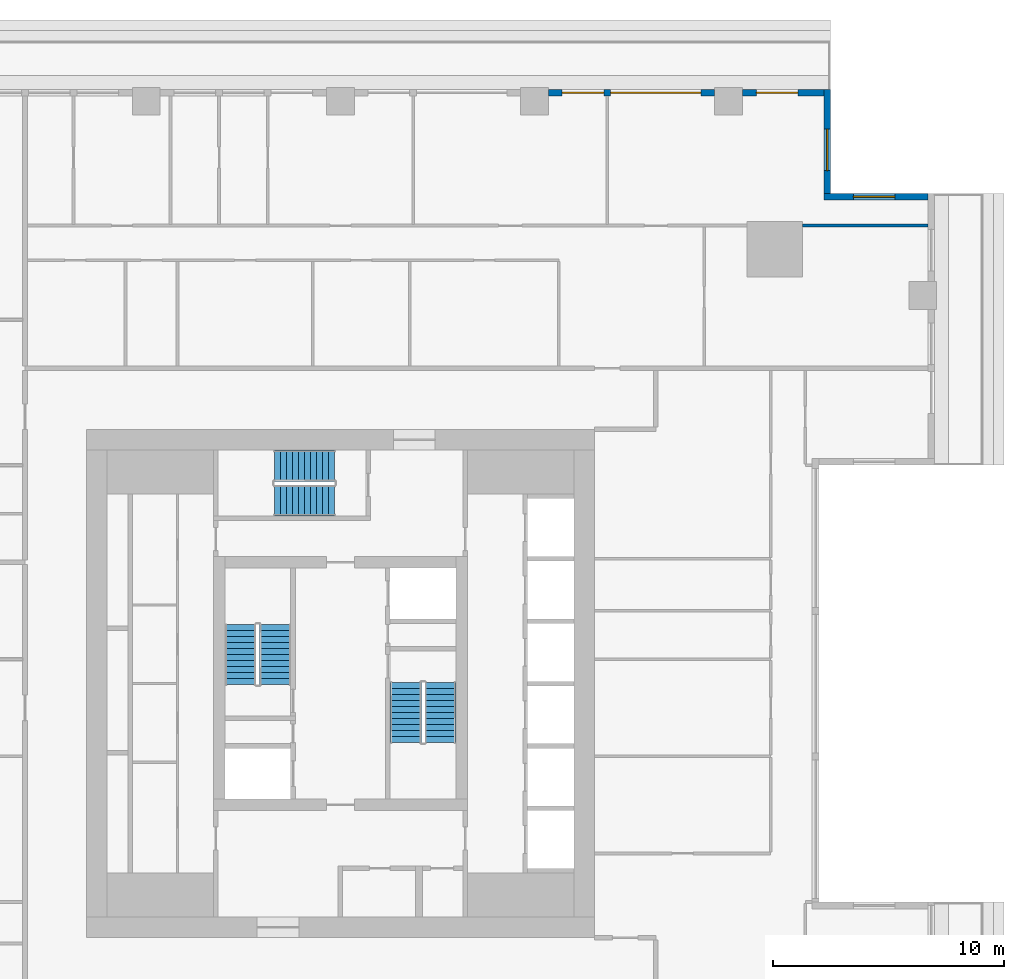
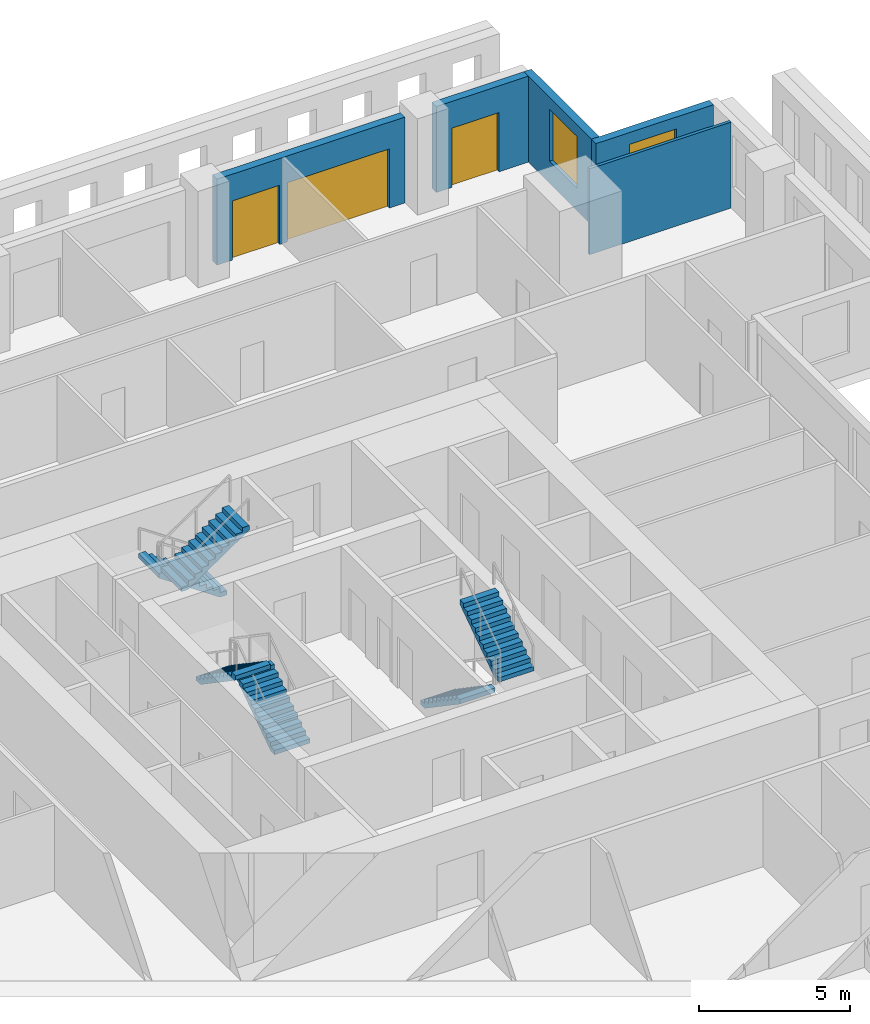
# One storey, part 9 of 15: 6 stair flights, 5 walls, 3 doors, 2 windows, 5 openings, 3 elements without a shape of their own.
"""IFC4 building model written with IfcOpenShell, lengths in metres."""

import ifcopenshell
import ifcopenshell.guid

model = None  # the IFC model being written
_history = None  # IfcOwnerHistory: only IFC2X3 demands one
_inside = {}  # id of a spatial element -> (the spatial element, [elements in it])
_under = {}  # id of a project, library or spatial element -> (it, [spatial elements below it])
_declared = {}  # id of a project -> (the project, [libraries it declares])
_typed = {}  # id of a type object -> (the type object, [elements of that type])
_made_of = {}  # id of a material, layer set ... -> (it, [elements and type objects made of it])


def new_model(schema):
    """Start an empty IFC model of exactly this schema.

    Asked for "IFC4X3", IfcOpenShell would pick the latest addendum, in which some entities
    have other attributes; the version numbers below select the first issue.
    IFC2X3 requires an IfcOwnerHistory on every rooted entity: one is made here for all.
    """
    global model, _history
    if schema == "IFC4X3":
        model = ifcopenshell.file(schema_version=(4, 3, 0, 0))
    else:
        model = ifcopenshell.file(schema=schema)
    _inside.clear()
    _under.clear()
    _declared.clear()
    _typed.clear()
    _made_of.clear()
    _history = None
    if model.schema == "IFC2X3":
        org = make("IfcOrganization", Name="unknown")
        user = make(
            "IfcPersonAndOrganization",
            ThePerson=make("IfcPerson", FamilyName="unknown"),
            TheOrganization=org,
        )
        app = make(
            "IfcApplication",
            ApplicationDeveloper=org,
            Version="unknown",
            ApplicationFullName="unknown",
            ApplicationIdentifier="unknown",
        )
        _history = make(
            "IfcOwnerHistory",
            OwningUser=user,
            OwningApplication=app,
            ChangeAction="ADDED",
            CreationDate=0,
        )
    return model


def make(cls, **values):
    """One entity of the class cls with the attributes given. An attribute that is None is left unset."""
    return model.create_entity(
        cls, **{name: value for name, value in values.items() if value is not None}
    )


def rooted(cls, **values):
    """An entity with a GlobalId (a new one), such as an element, a storey or a relation."""
    return make(cls, GlobalId=ifcopenshell.guid.new(), OwnerHistory=_history, **values)


def si_unit(unit_type, name, prefix=None):
    """IfcSIUnit, for example si_unit("LENGTHUNIT", "METRE", prefix="MILLI")."""
    return make("IfcSIUnit", UnitType=unit_type, Prefix=prefix, Name=name)


def assignment(units):
    """IfcUnitAssignment: the units of a project."""
    return None if units is None else make("IfcUnitAssignment", Units=units)


def point(xyz):
    """IfcCartesianPoint."""
    return None if xyz is None else make("IfcCartesianPoint", Coordinates=xyz)


def direction(xyz):
    """IfcDirection."""
    return None if xyz is None else make("IfcDirection", DirectionRatios=xyz)


def frame(location, z_axis=None, x_axis=None):
    """IfcAxis2Placement3D, a coordinate frame: its origin and axes. An axis left out is left unset."""
    return make(
        "IfcAxis2Placement3D",
        Location=point(location),
        Axis=direction(z_axis),
        RefDirection=direction(x_axis),
    )


def frame_2d(location, x_axis=None):
    """IfcAxis2Placement2D, a coordinate frame in the plane: its origin and x axis."""
    return make(
        "IfcAxis2Placement2D", Location=point(location), RefDirection=direction(x_axis)
    )


def origin():
    """The frame at (0, 0, 0) with its axes left unset."""
    return frame((0.0, 0.0, 0.0))


def place(relative_to, where):
    """IfcLocalPlacement: puts the frame where relative to a parent placement (None: the world)."""
    return make(
        "IfcLocalPlacement", PlacementRelTo=relative_to, RelativePlacement=where
    )


def context(
    kind, dimensions, precision=None, world=None, true_north=None, identifier=None
):
    """IfcGeometricRepresentationContext, for example the 3D "Model" context."""
    return make(
        "IfcGeometricRepresentationContext",
        ContextIdentifier=identifier,
        ContextType=kind,
        CoordinateSpaceDimension=dimensions,
        Precision=precision,
        WorldCoordinateSystem=world,
        TrueNorth=true_north,
    )


def subcontext(parent, identifier, kind, view, scale=None):
    """IfcGeometricRepresentationSubContext, for example "Body" below "Model"."""
    return make(
        "IfcGeometricRepresentationSubContext",
        ContextIdentifier=identifier,
        ContextType=kind,
        ParentContext=parent,
        TargetScale=scale,
        TargetView=view,
    )


def project(units=None, contexts=None):
    """IfcProject with its units and contexts."""
    return rooted(
        "IfcProject",
        Name="project",
        RepresentationContexts=contexts,
        UnitsInContext=assignment(units),
    )


def spatial(cls, under=None, at=None, **own):
    """A site, building, storey or space (cls), placed at a placement, below another one or the project."""
    s = rooted(cls, ObjectPlacement=at, **own)
    if under is not None:
        _under.setdefault(under.id(), (under, []))[1].append(s)
    return s


def polyline(points):
    """IfcPolyline through the points."""
    return make("IfcPolyline", Points=[point(p) for p in points])


def profile(cls, at=None, kind="AREA", **sizes):
    """A parametric profile (cls). Its sizes go by their IFC names, for example OverallWidth=200.0."""
    return make(cls, ProfileType=kind, Position=at, **sizes)


def rectangle(**sizes):
    """IfcRectangleProfileDef."""
    return profile("IfcRectangleProfileDef", **sizes)


def outline(outer, holes=None, kind="AREA"):
    """IfcArbitraryClosedProfileDef: a profile drawn as a closed curve; with holes, ...WithVoids."""
    if holes is None:
        return make("IfcArbitraryClosedProfileDef", ProfileType=kind, OuterCurve=outer)
    return make(
        "IfcArbitraryProfileDefWithVoids",
        ProfileType=kind,
        OuterCurve=outer,
        InnerCurves=holes,
    )


def extrude(swept, where, along, depth):
    """IfcExtrudedAreaSolid: the profile swept, set in the frame where, extruded along a direction by depth."""
    return make(
        "IfcExtrudedAreaSolid",
        SweptArea=swept,
        Position=where,
        ExtrudedDirection=direction(along),
        Depth=depth,
    )


def shape(context_of_items, identifier, shape_type, items):
    """IfcShapeRepresentation: the items that make up one representation, for example the "Body"."""
    return make(
        "IfcShapeRepresentation",
        ContextOfItems=context_of_items,
        RepresentationIdentifier=identifier,
        RepresentationType=shape_type,
        Items=items,
    )


def material(Name=None, Category=None):
    """IfcMaterial."""
    return make("IfcMaterial", Name=Name, Category=Category)


def layer(
    of_material, thickness, ventilated=None, Name=None, Category=None, Priority=None
):
    """IfcMaterialLayer: one layer of a wall or slab, of a material (None: an air gap)."""
    return make(
        "IfcMaterialLayer",
        Material=of_material,
        LayerThickness=thickness,
        IsVentilated=ventilated,
        Name=Name,
        Category=Category,
        Priority=Priority,
    )


def layer_set(layers, Name=None):
    """IfcMaterialLayerSet."""
    return make("IfcMaterialLayerSet", MaterialLayers=layers, LayerSetName=Name)


def made_of(thing, what):
    """Note that an element or type object is made of a material, layer set ...; save() writes the relation."""
    if what is not None:
        _made_of.setdefault(what.id(), (what, []))[1].append(thing)
    return thing


def type_object(cls, material=None, **own):
    """A type object (cls), such as IfcWallType, which elements share."""
    return made_of(rooted(cls, **own), material)


def element(
    cls,
    number,
    at=None,
    inside=None,
    cuts=None,
    type_object=None,
    material=None,
    context=None,
    identifier="Body",
    shape_type=None,
    held_by="IfcProductDefinitionShape",
    body=None,
    shapes=None,
    **own,
):
    """One element of the class cls, such as IfcWall. Its Tag is "e" and its number.

    at: its placement. inside: the storey or other place that contains it. cuts: it is an
    opening in that element (IfcRelVoidsElement). A single representation is given by context,
    identifier, shape_type and body (its items); several are given by shapes. held_by: the class
    of the entity that holds the representations. save() writes the other relations.
    """
    e = rooted(cls, Tag="e%d" % number, ObjectPlacement=at, **own)
    if body is not None:
        shapes = [shape(context, identifier, shape_type, body)]
    if shapes is not None:
        e.Representation = make(held_by, Representations=shapes)
    if inside is not None:
        _inside.setdefault(inside.id(), (inside, []))[1].append(e)
    if cuts is not None:
        rooted(
            "IfcRelVoidsElement", RelatingBuildingElement=cuts, RelatedOpeningElement=e
        )
    if type_object is not None:
        _typed.setdefault(type_object.id(), (type_object, []))[1].append(e)
    return made_of(e, material)


def fill(opening, filler):
    """IfcRelFillsElement: the door or window that sits in an opening."""
    return rooted(
        "IfcRelFillsElement",
        RelatingOpeningElement=opening,
        RelatedBuildingElement=filler,
    )


def aggregate(whole, parts):
    """IfcRelAggregates: a whole, such as a stair, and the parts it consists of."""
    return rooted("IfcRelAggregates", RelatingObject=whole, RelatedObjects=parts)


def save(model, path):
    """Write the relations noted so far, then the file.

    IfcRelAggregates (storeys below a building ...), IfcRelContainedInSpatialStructure (elements
    in a storey), IfcRelDefinesByType, IfcRelAssociatesMaterial and IfcRelDeclares: one each for
    every whole, place, type object, material and project.
    """
    for whole, parts in _under.values():
        aggregate(whole, parts)
    for where, things in _inside.values():
        rooted(
            "IfcRelContainedInSpatialStructure",
            RelatedElements=things,
            RelatingStructure=where,
        )
    for kind, things in _typed.values():
        rooted("IfcRelDefinesByType", RelatedObjects=things, RelatingType=kind)
    for what, things in _made_of.values():
        rooted("IfcRelAssociatesMaterial", RelatedObjects=things, RelatingMaterial=what)
    for by, libraries in _declared.values():
        rooted("IfcRelDeclares", RelatingContext=by, RelatedDefinitions=libraries)
    model.write(path)


model = new_model("IFC4")

# Units and contexts
model_context = context("Model", 3, precision=1e-05, world=origin(), true_north=direction((0.0, 1.0)))
body_context = subcontext(model_context, "Body", "Model", "MODEL_VIEW")
ifc_project = project(units=[si_unit("LENGTHUNIT", "METRE"), si_unit("AREAUNIT", "SQUARE_METRE"), si_unit("VOLUMEUNIT", "CUBIC_METRE"), si_unit("PLANEANGLEUNIT", "RADIAN"), si_unit("MASSUNIT", "GRAM", prefix="KILO")], contexts=[model_context])

# Site, building, storey
site_placement = place(None, origin())
site = spatial("IfcSite", under=ifc_project, at=site_placement, CompositionType="ELEMENT")
building_placement = place(site_placement, origin())
building = spatial("IfcBuilding", under=site, at=building_placement, Name="Khepri Terraces", CompositionType="ELEMENT")
storey_placement = place(building_placement, frame((0.0, 0.0, 215.699951171875)))
storey = spatial("IfcBuildingStorey", under=building, at=storey_placement, Name="L51", CompositionType="ELEMENT", Elevation=215.699951171875)

# Wall, opening, window
ifc_material_1 = material(Name="Precast concrete C50/60 warm stone", Category="masonry")
ifc_layer_1 = layer(ifc_material_1, 0.300048828125, Name="Precast concrete C50/60 warm stone", Category="masonry")
ifc_layer_set_1 = layer_set([ifc_layer_1], Name="Precast concrete C50/60 warm stone")
wall_type_1 = type_object("IfcWallType", Name="WL-EXT-PRECAST-300", PredefinedType="STANDARD", material=ifc_layer_set_1)
wall_1_placement = place(storey_placement, frame((25.419921875, 21.070068359375, 0.0), z_axis=(0.0, 0.0, 1.0), x_axis=(-1.0, 0.0, 0.0)))
wall_1 = element("IfcWall", 1, at=wall_1_placement, inside=storey, type_object=wall_type_1, Name="External wall L51 N", PredefinedType="STANDARD", context=body_context, shape_type="SweptSolid", body=[
    extrude(rectangle(XDim=4.5, YDim=0.300048828125, at=frame_2d((2.25, 0.0))), origin(), (0.0, 0.0, 1.0), 3.47998046875),
])
opening_1_placement = place(wall_1_placement, frame((1.419921875, 0.0, 0.89990234375)))
opening_1 = element("IfcOpeningElement", 2, at=opening_1_placement, cuts=wall_1, Name="Opening W1", PredefinedType="OPENING", context=body_context, shape_type="SweptSolid", body=[
    extrude(rectangle(XDim=1.800048828125, YDim=2.10009765625, at=frame_2d((0.89990234375, 1.050048828125))), frame((0.0, 0.16015625, 0.0), z_axis=(0.0, -1.0, 0.0), x_axis=(1.0, 0.0, 0.0)), (0.0, 0.0, 1.0), 0.320068359375),
])
ifc_material_2 = material(Name="Clear glass", Category="glass")
window_type = type_object("IfcWindowType", Name="WIN-RES-1800x2100", PartitioningType="SINGLE_PANEL", PredefinedType="WINDOW", material=ifc_material_2)
window_1_placement = place(opening_1_placement, origin())
window_1 = element("IfcWindow", 3, at=window_1_placement, inside=storey, type_object=window_type, Name="Window L51 N", OverallHeight=2.10009765625, OverallWidth=1.800048828125, PartitioningType="SINGLE_PANEL", PredefinedType="WINDOW", context=body_context, shape_type="SweptSolid", body=[
    extrude(rectangle(XDim=1.800048828125, YDim=2.10009765625, at=frame_2d((0.89990234375, 1.050048828125))), frame((0.0, 0.030029296875, 0.0), z_axis=(0.0, -1.0, 0.0), x_axis=(1.0, 0.0, 0.0)), (0.0, 0.0, 1.0), 0.06005859375),
])
fill(opening_1, window_1)

wall_2_placement = place(storey_placement, frame((21.070068359375, 21.219970703125, 0.0), z_axis=(0.0, 0.0, 1.0), x_axis=(0.0, 1.0, 0.0)))
wall_2 = element("IfcWall", 4, at=wall_2_placement, inside=storey, type_object=wall_type_1, Name="External wall L51 E", PredefinedType="STANDARD", context=body_context, shape_type="SweptSolid", body=[
    extrude(rectangle(XDim=4.5, YDim=0.300048828125, at=frame_2d((2.25, 0.0))), origin(), (0.0, 0.0, 1.0), 3.47998046875),
])
opening_2_placement = place(wall_2_placement, frame((0.97998046875, 0.0, 0.89990234375)))
opening_2 = element("IfcOpeningElement", 5, at=opening_2_placement, cuts=wall_2, Name="Opening W1", PredefinedType="OPENING", context=body_context, shape_type="SweptSolid", body=[
    extrude(rectangle(XDim=1.800048828125, YDim=2.10009765625, at=frame_2d((0.89990234375, 1.050048828125))), frame((0.0, 0.16015625, 0.0), z_axis=(0.0, -1.0, 0.0), x_axis=(1.0, 0.0, 0.0)), (0.0, 0.0, 1.0), 0.320068359375),
])
window_2_placement = place(opening_2_placement, origin())
window_2 = element("IfcWindow", 6, at=window_2_placement, inside=storey, type_object=window_type, Name="Window L51 E", OverallHeight=2.10009765625, OverallWidth=1.800048828125, PartitioningType="SINGLE_PANEL", PredefinedType="WINDOW", context=body_context, shape_type="SweptSolid", body=[
    extrude(rectangle(XDim=1.800048828125, YDim=2.10009765625, at=frame_2d((0.89990234375, 1.050048828125))), frame((0.0, 0.030029296875, 0.0), z_axis=(0.0, -1.0, 0.0), x_axis=(1.0, 0.0, 0.0)), (0.0, 0.0, 1.0), 0.06005859375),
])
fill(opening_2, window_2)

# Wall, opening, door
wall_3_placement = place(storey_placement, frame((20.919921875, 25.570068359375, 0.0), z_axis=(0.0, 0.0, 1.0), x_axis=(-1.0, 0.0, 0.0)))
wall_3 = element("IfcWall", 7, at=wall_3_placement, inside=storey, type_object=wall_type_1, Name="External wall L51 N", PredefinedType="STANDARD", context=body_context, shape_type="SweptSolid", body=[
    extrude(rectangle(XDim=3.52001953125, YDim=0.300048828125, at=frame_2d((1.760009765625, 0.0))), origin(), (0.0, 0.0, 1.0), 3.47998046875),
])
opening_3_placement = place(wall_3_placement, frame((1.1201171875, 0.0, 0.0)))
opening_3 = element("IfcOpeningElement", 8, at=opening_3_placement, cuts=wall_3, Name="Opening ED-L51-04", PredefinedType="OPENING", context=body_context, shape_type="SweptSolid", body=[
    extrude(rectangle(XDim=1.800048828125, YDim=2.39990234375, at=frame_2d((0.89990234375, 1.199951171875))), frame((0.0, 0.16015625, 0.0), z_axis=(0.0, -1.0, 0.0), x_axis=(1.0, 0.0, 0.0)), (0.0, 0.0, 1.0), 0.320068359375),
])
ifc_material_3 = material(Name="Anodised aluminium bronze glazed door", Category="aluminium")
door_type_1 = type_object("IfcDoorType", Name="DR-BAL-SLIDE-1800x2400", OperationType="NOTDEFINED", PredefinedType="DOOR", material=ifc_material_3)
door_1_placement = place(opening_3_placement, origin())
door_1 = element("IfcDoor", 9, at=door_1_placement, inside=storey, type_object=door_type_1, Name="Balcony door L51 N", OperationType="SLIDING_TO_RIGHT", OverallHeight=2.39990234375, OverallWidth=1.800048828125, PredefinedType="DOOR", context=body_context, shape_type="SweptSolid", body=[
    extrude(rectangle(XDim=1.800048828125, YDim=2.39990234375, at=frame_2d((0.89990234375, 1.199951171875))), frame((0.0, 0.02490234375, 0.0), z_axis=(0.0, -1.0, 0.0), x_axis=(1.0, 0.0, 0.0)), (0.0, 0.0, 1.0), 0.050048828125),
])
fill(opening_3, door_1)

# Wall, openings, doors
wall_4_placement = place(storey_placement, frame((16.199951171875, 25.570068359375, 0.0), z_axis=(0.0, 0.0, 1.0), x_axis=(-1.0, 0.0, 0.0)))
wall_4 = element("IfcWall", 10, at=wall_4_placement, inside=storey, type_object=wall_type_1, Name="External wall L51 N", PredefinedType="STANDARD", context=body_context, shape_type="SweptSolid", body=[
    extrude(rectangle(XDim=7.199951171875, YDim=0.300048828125, at=frame_2d((3.60009765625, 0.0))), origin(), (0.0, 0.0, 1.0), 3.47998046875),
])
opening_4_placement = place(wall_4_placement, frame((0.60009765625, 0.0, 0.0)))
opening_4 = element("IfcOpeningElement", 11, at=opening_4_placement, cuts=wall_4, Name="Opening ED-L51-05", PredefinedType="OPENING", context=body_context, shape_type="SweptSolid", body=[
    extrude(rectangle(XDim=3.89990234375, YDim=2.39990234375, at=frame_2d((1.949951171875, 1.199951171875))), frame((0.0, 0.16015625, 0.0), z_axis=(0.0, -1.0, 0.0), x_axis=(1.0, 0.0, 0.0)), (0.0, 0.0, 1.0), 0.320068359375),
])
opening_5_placement = place(wall_4_placement, frame((4.800048828125, 0.0, 0.0)))
opening_5 = element("IfcOpeningElement", 12, at=opening_5_placement, cuts=wall_4, Name="Opening ED-L51-06", PredefinedType="OPENING", context=body_context, shape_type="SweptSolid", body=[
    extrude(rectangle(XDim=1.800048828125, YDim=2.39990234375, at=frame_2d((0.89990234375, 1.199951171875))), frame((0.0, 0.16015625, 0.0), z_axis=(0.0, -1.0, 0.0), x_axis=(1.0, 0.0, 0.0)), (0.0, 0.0, 1.0), 0.320068359375),
])
door_2_placement = place(opening_5_placement, origin())
door_2 = element("IfcDoor", 13, at=door_2_placement, inside=storey, type_object=door_type_1, Name="Balcony door L51 N", OperationType="SLIDING_TO_RIGHT", OverallHeight=2.39990234375, OverallWidth=1.800048828125, PredefinedType="DOOR", context=body_context, shape_type="SweptSolid", body=[
    extrude(rectangle(XDim=1.800048828125, YDim=2.39990234375, at=frame_2d((0.89990234375, 1.199951171875))), frame((0.0, 0.02490234375, 0.0), z_axis=(0.0, -1.0, 0.0), x_axis=(1.0, 0.0, 0.0)), (0.0, 0.0, 1.0), 0.050048828125),
])
fill(opening_5, door_2)
door_type_2 = type_object("IfcDoorType", Name="DR-BAL-SLIDE-3900x2400", OperationType="NOTDEFINED", PredefinedType="DOOR", material=ifc_material_3)
door_3_placement = place(opening_4_placement, origin())
door_3 = element("IfcDoor", 14, at=door_3_placement, inside=storey, type_object=door_type_2, Name="Balcony door L51 N", OperationType="SLIDING_TO_LEFT", OverallHeight=2.39990234375, OverallWidth=3.89990234375, PredefinedType="DOOR", context=body_context, shape_type="SweptSolid", body=[
    extrude(rectangle(XDim=3.89990234375, YDim=2.39990234375, at=frame_2d((1.949951171875, 1.199951171875))), frame((0.0, 0.02490234375, 0.0), z_axis=(0.0, -1.0, 0.0), x_axis=(1.0, 0.0, 0.0)), (0.0, 0.0, 1.0), 0.050048828125),
])
fill(opening_4, door_3)

# Wall
ifc_material_4 = material(Name="Gypsum plasterboard partition")
ifc_layer_2 = layer(ifc_material_4, 0.1201171875, Name="Gypsum plasterboard partition")
ifc_layer_set_2 = layer_set([ifc_layer_2], Name="Gypsum plasterboard partition")
wall_type_2 = type_object("IfcWallType", Name="WL-PART-120", PredefinedType="PARTITIONING", material=ifc_layer_set_2)
wall_5_placement = place(storey_placement, frame((20.0, 19.820068359375, 0.0), z_axis=(0.0, 0.0, 1.0), x_axis=(1.0, 0.0, 0.0)))
element("IfcWall", 15, at=wall_5_placement, inside=storey, type_object=wall_type_2, Name="Partition P-083 L51", PredefinedType="PARTITIONING", context=body_context, shape_type="SweptSolid", body=[
    extrude(rectangle(XDim=5.419921875, YDim=0.1201171875, at=frame_2d((2.7099609375, 0.0))), origin(), (0.0, 0.0, 1.0), 3.47998046875),
])

# Stair, stair flights
ifc_material_5 = material(Name="Concrete C40/50", Category="concrete")
stair_type = type_object("IfcStairType", Name="STAIR-RC-22R", PredefinedType="HALF_TURN_STAIR", material=ifc_material_5)
stair_1_placement = place(storey_placement, origin())
stair_1 = element("IfcStair", 16, at=stair_1_placement, inside=storey, type_object=stair_type, Name="L51 Exit Stair ST-1", PredefinedType="HALF_TURN_STAIR")
stair_flight_type = type_object("IfcStairFlightType", Name="SFL-RC-177.3", PredefinedType="STRAIGHT", material=ifc_material_5)
stair_flight_1_placement = place(storey_placement, frame((-2.824951171875, -0.050048828125, 0.0), z_axis=(0.0, 0.0, 1.0), x_axis=(0.0, 1.0, 0.0)))
stair_flight_1 = element("IfcStairFlight", 17, at=stair_flight_1_placement, type_object=stair_flight_type, Name="ST-1 flight 1", NumberOfRisers=11, NumberOfTreads=10, PredefinedType="STRAIGHT", RiserHeight=0.177272727, TreadLength=0.26, context=body_context, shape_type="SweptSolid", body=[
    extrude(outline(polyline([(0.0, 0.0), (0.0, 0.17724609375), (0.260009765625, 0.17724609375), (0.260009765625, 0.3544921875), (0.52001953125, 0.3544921875), (0.52001953125, 0.53173828125), (0.780029296875, 0.53173828125), (0.780029296875, 0.708984375), (1.0400390625, 0.708984375), (1.0400390625, 0.886474609375), (1.300048828125, 0.886474609375), (1.300048828125, 1.063720703125), (1.56005859375, 1.063720703125), (1.56005859375, 1.240966796875), (1.820068359375, 1.240966796875), (1.820068359375, 1.418212890625), (2.080078125, 1.418212890625), (2.080078125, 1.595458984375), (2.340087890625, 1.595458984375), (2.340087890625, 1.772705078125), (2.60009765625, 1.772705078125), (2.60009765625, 1.949951171875), (2.60009765625, 1.59130859375), (0.26611328125, 0.0), (0.0, 0.0)])), frame((0.0, 0.675048828125, 0.0), z_axis=(0.0, -1.0, 0.0), x_axis=(1.0, 0.0, 0.0)), (0.0, 0.0, 1.0), 1.35009765625),
])
stair_flight_2_placement = place(storey_placement, frame((-4.324951171875, 2.550048828125, 1.949951171875), z_axis=(0.0, 0.0, 1.0), x_axis=(0.0, -1.0, 0.0)))
stair_flight_2 = element("IfcStairFlight", 18, at=stair_flight_2_placement, type_object=stair_flight_type, Name="ST-1 flight 2", NumberOfRisers=11, NumberOfTreads=10, PredefinedType="STRAIGHT", RiserHeight=0.177272727, TreadLength=0.26, context=body_context, shape_type="SweptSolid", body=[
    extrude(outline(polyline([(0.0, 0.0), (0.0, 0.17724609375), (0.260009765625, 0.17724609375), (0.260009765625, 0.3544921875), (0.52001953125, 0.3544921875), (0.52001953125, 0.53173828125), (0.780029296875, 0.53173828125), (0.780029296875, 0.708984375), (1.0400390625, 0.708984375), (1.0400390625, 0.886474609375), (1.300048828125, 0.886474609375), (1.300048828125, 1.063720703125), (1.56005859375, 1.063720703125), (1.56005859375, 1.240966796875), (1.820068359375, 1.240966796875), (1.820068359375, 1.418212890625), (2.080078125, 1.418212890625), (2.080078125, 1.595458984375), (2.340087890625, 1.595458984375), (2.340087890625, 1.772705078125), (2.60009765625, 1.772705078125), (2.60009765625, 1.949951171875), (2.60009765625, 1.59130859375), (0.26611328125, 0.0), (0.0, 0.0)])), frame((0.0, 0.675048828125, 0.0), z_axis=(0.0, -1.0, 0.0), x_axis=(1.0, 0.0, 0.0)), (0.0, 0.0, 1.0), 1.35009765625),
])
aggregate(stair_1, [stair_flight_1, stair_flight_2])

stair_2_placement = place(storey_placement, origin())
stair_2 = element("IfcStair", 19, at=stair_2_placement, inside=storey, type_object=stair_type, Name="L51 Exit Stair ST-2", PredefinedType="HALF_TURN_STAIR")
stair_flight_3_placement = place(storey_placement, frame((2.824951171875, 0.050048828125, 0.0), z_axis=(0.0, 0.0, 1.0), x_axis=(0.0, -1.0, 0.0)))
stair_flight_3 = element("IfcStairFlight", 20, at=stair_flight_3_placement, type_object=stair_flight_type, Name="ST-2 flight 1", NumberOfRisers=11, NumberOfTreads=10, PredefinedType="STRAIGHT", RiserHeight=0.177272727, TreadLength=0.26, context=body_context, shape_type="SweptSolid", body=[
    extrude(outline(polyline([(0.0, 0.0), (0.0, 0.17724609375), (0.260009765625, 0.17724609375), (0.260009765625, 0.3544921875), (0.52001953125, 0.3544921875), (0.52001953125, 0.53173828125), (0.780029296875, 0.53173828125), (0.780029296875, 0.708984375), (1.0400390625, 0.708984375), (1.0400390625, 0.886474609375), (1.300048828125, 0.886474609375), (1.300048828125, 1.063720703125), (1.56005859375, 1.063720703125), (1.56005859375, 1.240966796875), (1.820068359375, 1.240966796875), (1.820068359375, 1.418212890625), (2.080078125, 1.418212890625), (2.080078125, 1.595458984375), (2.340087890625, 1.595458984375), (2.340087890625, 1.772705078125), (2.60009765625, 1.772705078125), (2.60009765625, 1.949951171875), (2.60009765625, 1.59130859375), (0.26611328125, 0.0), (0.0, 0.0)])), frame((0.0, 0.675048828125, 0.0), z_axis=(0.0, -1.0, 0.0), x_axis=(1.0, 0.0, 0.0)), (0.0, 0.0, 1.0), 1.35009765625),
])
stair_flight_4_placement = place(storey_placement, frame((4.324951171875, -2.550048828125, 1.949951171875), z_axis=(0.0, 0.0, 1.0), x_axis=(0.0, 1.0, 0.0)))
stair_flight_4 = element("IfcStairFlight", 21, at=stair_flight_4_placement, type_object=stair_flight_type, Name="ST-2 flight 2", NumberOfRisers=11, NumberOfTreads=10, PredefinedType="STRAIGHT", RiserHeight=0.177272727, TreadLength=0.26, context=body_context, shape_type="SweptSolid", body=[
    extrude(outline(polyline([(0.0, 0.0), (0.0, 0.17724609375), (0.260009765625, 0.17724609375), (0.260009765625, 0.3544921875), (0.52001953125, 0.3544921875), (0.52001953125, 0.53173828125), (0.780029296875, 0.53173828125), (0.780029296875, 0.708984375), (1.0400390625, 0.708984375), (1.0400390625, 0.886474609375), (1.300048828125, 0.886474609375), (1.300048828125, 1.063720703125), (1.56005859375, 1.063720703125), (1.56005859375, 1.240966796875), (1.820068359375, 1.240966796875), (1.820068359375, 1.418212890625), (2.080078125, 1.418212890625), (2.080078125, 1.595458984375), (2.340087890625, 1.595458984375), (2.340087890625, 1.772705078125), (2.60009765625, 1.772705078125), (2.60009765625, 1.949951171875), (2.60009765625, 1.59130859375), (0.26611328125, 0.0), (0.0, 0.0)])), frame((0.0, 0.675048828125, 0.0), z_axis=(0.0, -1.0, 0.0), x_axis=(1.0, 0.0, 0.0)), (0.0, 0.0, 1.0), 1.35009765625),
])
aggregate(stair_2, [stair_flight_3, stair_flight_4])

stair_3_placement = place(storey_placement, origin())
stair_3 = element("IfcStair", 22, at=stair_3_placement, inside=storey, type_object=stair_type, Name="L51 Exit Stair ST-3", PredefinedType="HALF_TURN_STAIR")
stair_flight_5_placement = place(storey_placement, frame((-0.25, 9.425048828125, 0.0), z_axis=(0.0, 0.0, 1.0), x_axis=(-1.0, 0.0, 0.0)))
stair_flight_5 = element("IfcStairFlight", 23, at=stair_flight_5_placement, type_object=stair_flight_type, Name="ST-3 flight 1", NumberOfRisers=11, NumberOfTreads=10, PredefinedType="STRAIGHT", RiserHeight=0.177272727, TreadLength=0.26, context=body_context, shape_type="SweptSolid", body=[
    extrude(outline(polyline([(0.0, 0.0), (0.0, 0.17724609375), (0.260009765625, 0.17724609375), (0.260009765625, 0.3544921875), (0.52001953125, 0.3544921875), (0.52001953125, 0.53173828125), (0.780029296875, 0.53173828125), (0.780029296875, 0.708984375), (1.0400390625, 0.708984375), (1.0400390625, 0.886474609375), (1.300048828125, 0.886474609375), (1.300048828125, 1.063720703125), (1.56005859375, 1.063720703125), (1.56005859375, 1.240966796875), (1.820068359375, 1.240966796875), (1.820068359375, 1.418212890625), (2.080078125, 1.418212890625), (2.080078125, 1.595458984375), (2.340087890625, 1.595458984375), (2.340087890625, 1.772705078125), (2.60009765625, 1.772705078125), (2.60009765625, 1.949951171875), (2.60009765625, 1.59130859375), (0.26611328125, 0.0), (0.0, 0.0)])), frame((0.0, 0.675048828125, 0.0), z_axis=(0.0, -1.0, 0.0), x_axis=(1.0, 0.0, 0.0)), (0.0, 0.0, 1.0), 1.35009765625),
])
stair_flight_6_placement = place(storey_placement, frame((-2.85009765625, 7.925048828125, 1.949951171875), z_axis=(0.0, 0.0, 1.0), x_axis=(1.0, 0.0, 0.0)))
stair_flight_6 = element("IfcStairFlight", 24, at=stair_flight_6_placement, type_object=stair_flight_type, Name="ST-3 flight 2", NumberOfRisers=11, NumberOfTreads=10, PredefinedType="STRAIGHT", RiserHeight=0.177272727, TreadLength=0.26, context=body_context, shape_type="SweptSolid", body=[
    extrude(outline(polyline([(0.0, 0.0), (0.0, 0.17724609375), (0.260009765625, 0.17724609375), (0.260009765625, 0.3544921875), (0.52001953125, 0.3544921875), (0.52001953125, 0.53173828125), (0.780029296875, 0.53173828125), (0.780029296875, 0.708984375), (1.0400390625, 0.708984375), (1.0400390625, 0.886474609375), (1.300048828125, 0.886474609375), (1.300048828125, 1.063720703125), (1.56005859375, 1.063720703125), (1.56005859375, 1.240966796875), (1.820068359375, 1.240966796875), (1.820068359375, 1.418212890625), (2.080078125, 1.418212890625), (2.080078125, 1.595458984375), (2.340087890625, 1.595458984375), (2.340087890625, 1.772705078125), (2.60009765625, 1.772705078125), (2.60009765625, 1.949951171875), (2.60009765625, 1.59130859375), (0.26611328125, 0.0), (0.0, 0.0)])), frame((0.0, 0.675048828125, 0.0), z_axis=(0.0, -1.0, 0.0), x_axis=(1.0, 0.0, 0.0)), (0.0, 0.0, 1.0), 1.35009765625),
])
aggregate(stair_3, [stair_flight_5, stair_flight_6])

save(model, "model.ifc")
